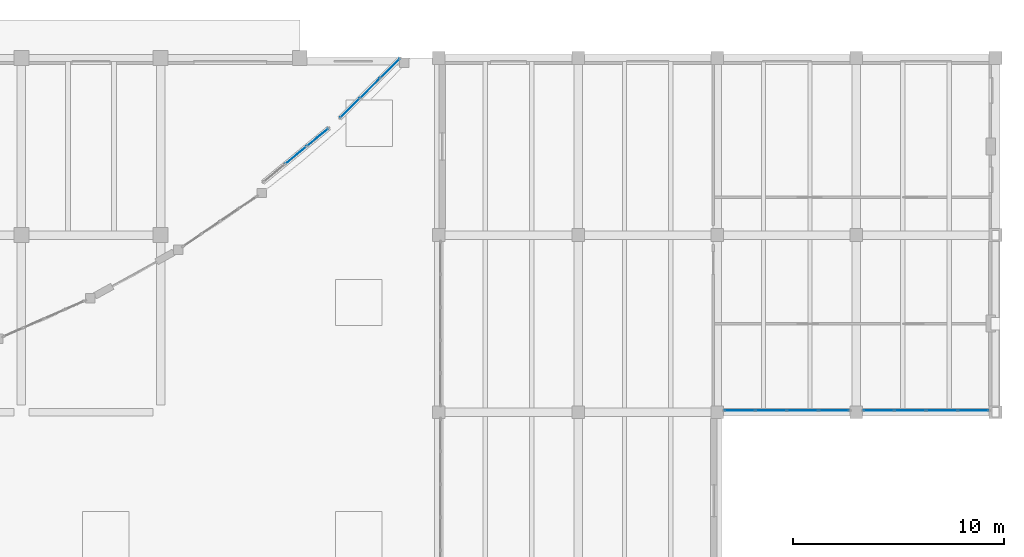
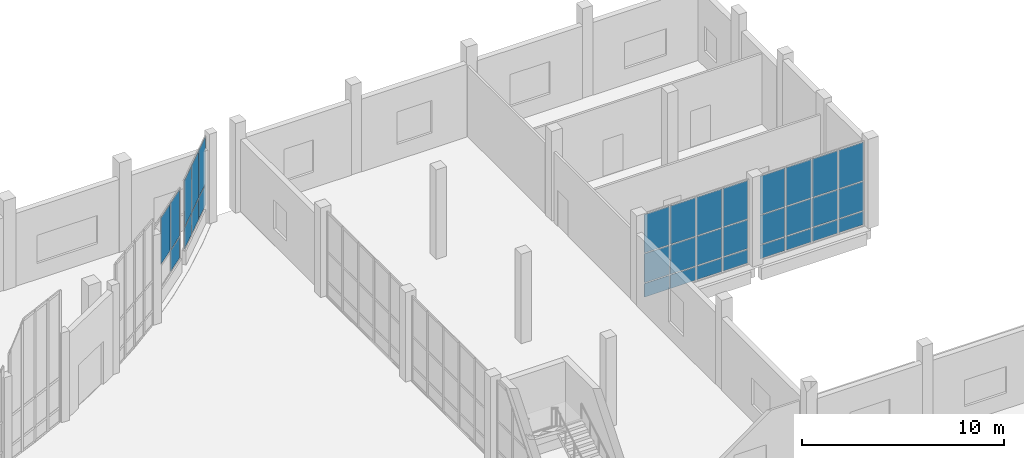
# One storey, part 37 of 64: 33 plates, 4 elements without a shape of their own.
"""IFC4 building model written with IfcOpenShell, lengths in metres."""

from ifc_helpers import new_model, si_unit, direction, frame, origin, origin_2d, place, context, subcontext, project, spatial, rectangle, extrude, material, layer, layer_set, type_object, element, aggregate, save


model = new_model("IFC4")

# Units and contexts
model_context = context("Model", 3, precision=1e-05, world=origin(), true_north=direction((0.0, 1.0)))
body_context = subcontext(model_context, "Body", "Model", "MODEL_VIEW")
ifc_project = project(units=[si_unit("LENGTHUNIT", "METRE"), si_unit("AREAUNIT", "SQUARE_METRE"), si_unit("VOLUMEUNIT", "CUBIC_METRE"), si_unit("PLANEANGLEUNIT", "RADIAN"), si_unit("MASSUNIT", "GRAM", prefix="KILO")], contexts=[model_context])

# Site, building, storey
site_placement = place(None, origin())
site = spatial("IfcSite", under=ifc_project, at=site_placement, CompositionType="ELEMENT")
building_placement = place(site_placement, origin())
building = spatial("IfcBuilding", under=site, at=building_placement, Name="Qaldarim Faculty of Natural and Applied Sciences", CompositionType="ELEMENT")
storey_placement = place(building_placement, origin())
storey = spatial("IfcBuildingStorey", under=building, at=storey_placement, Name="L00", CompositionType="ELEMENT", Elevation=0.0)

# Curtain wall, plates
ifc_material_1 = material(Name="Anodised aluminium AW-6063", Category="aluminium")
curtain_wall_type_1 = type_object("IfcCurtainWallType", Name="CurtainWallSystem-M1600", PredefinedType="USERDEFINED", material=ifc_material_1)
curtain_wall_1_placement = place(storey_placement, origin())
curtain_wall_1 = element("IfcCurtainWall", 1, at=curtain_wall_1_placement, inside=storey, type_object=curtain_wall_type_1, Name="Curtain wall CW-L00-S-X26Y13", ObjectType="UNITISED FACADE", PredefinedType="USERDEFINED")
ifc_material_2 = material(Name="Insulated low-e double glazing", Category="glass")
ifc_layer = layer(ifc_material_2, 0.028076171875)
ifc_layer_set = layer_set([ifc_layer], Name="Insulated low-e double glazing")
plate_type = type_object("IfcPlateType", Name="VisionGlazingPanel-28", PredefinedType="CURTAIN_PANEL", material=ifc_layer_set)
plate_1_placement = place(storey_placement, frame((166.061279296875, 100.8798828125, 0.06005859375), z_axis=(0.0, 0.0, 1.0), x_axis=(1.0, 0.0, 0.0)))
plate_1 = element("IfcPlate", 2, at=plate_1_placement, type_object=plate_type, Name="Glazed panel 1-1 of CW-L00-S-X26Y13", PredefinedType="CURTAIN_PANEL", context=body_context, shape_type="SweptSolid", body=[
    extrude(rectangle(XDim=1.41259765625, YDim=0.028076171875, at=origin_2d()), origin(), (0.0, 0.0, 1.0), 0.81005859375),
])
plate_2_placement = place(storey_placement, frame((166.061279296875, 100.8798828125, 0.93017578125), z_axis=(0.0, 0.0, 1.0), x_axis=(1.0, 0.0, 0.0)))
plate_2 = element("IfcPlate", 3, at=plate_2_placement, type_object=plate_type, Name="Glazed panel 1-2 of CW-L00-S-X26Y13", PredefinedType="CURTAIN_PANEL", context=body_context, shape_type="SweptSolid", body=[
    extrude(rectangle(XDim=1.41259765625, YDim=0.028076171875, at=origin_2d()), origin(), (0.0, 0.0, 1.0), 1.739990234375),
])
plate_3_placement = place(storey_placement, frame((166.061279296875, 100.8798828125, 2.72998046875), z_axis=(0.0, 0.0, 1.0), x_axis=(1.0, 0.0, 0.0)))
plate_3 = element("IfcPlate", 4, at=plate_3_placement, type_object=plate_type, Name="Glazed panel 1-3 of CW-L00-S-X26Y13", PredefinedType="CURTAIN_PANEL", context=body_context, shape_type="SweptSolid", body=[
    extrude(rectangle(XDim=1.41259765625, YDim=0.028076171875, at=origin_2d()), origin(), (0.0, 0.0, 1.0), 2.31005859375),
])
plate_4_placement = place(storey_placement, frame((167.548583984375, 100.8798828125, 0.06005859375), z_axis=(0.0, 0.0, 1.0), x_axis=(1.0, 0.0, 0.0)))
plate_4 = element("IfcPlate", 5, at=plate_4_placement, type_object=plate_type, Name="Glazed panel 2-1 of CW-L00-S-X26Y13", PredefinedType="CURTAIN_PANEL", context=body_context, shape_type="SweptSolid", body=[
    extrude(rectangle(XDim=1.4423828125, YDim=0.028076171875, at=origin_2d()), origin(), (0.0, 0.0, 1.0), 0.81005859375),
])
plate_5_placement = place(storey_placement, frame((167.548583984375, 100.8798828125, 0.93017578125), z_axis=(0.0, 0.0, 1.0), x_axis=(1.0, 0.0, 0.0)))
plate_5 = element("IfcPlate", 6, at=plate_5_placement, type_object=plate_type, Name="Glazed panel 2-2 of CW-L00-S-X26Y13", PredefinedType="CURTAIN_PANEL", context=body_context, shape_type="SweptSolid", body=[
    extrude(rectangle(XDim=1.4423828125, YDim=0.028076171875, at=origin_2d()), origin(), (0.0, 0.0, 1.0), 1.739990234375),
])
plate_6_placement = place(storey_placement, frame((167.548583984375, 100.8798828125, 2.72998046875), z_axis=(0.0, 0.0, 1.0), x_axis=(1.0, 0.0, 0.0)))
plate_6 = element("IfcPlate", 7, at=plate_6_placement, type_object=plate_type, Name="Glazed panel 2-3 of CW-L00-S-X26Y13", PredefinedType="CURTAIN_PANEL", context=body_context, shape_type="SweptSolid", body=[
    extrude(rectangle(XDim=1.4423828125, YDim=0.028076171875, at=origin_2d()), origin(), (0.0, 0.0, 1.0), 2.31005859375),
])
plate_7_placement = place(storey_placement, frame((169.05126953125, 100.8798828125, 0.06005859375), z_axis=(0.0, 0.0, 1.0), x_axis=(1.0, 0.0, 0.0)))
plate_7 = element("IfcPlate", 8, at=plate_7_placement, type_object=plate_type, Name="Glazed panel 3-1 of CW-L00-S-X26Y13", PredefinedType="CURTAIN_PANEL", context=body_context, shape_type="SweptSolid", body=[
    extrude(rectangle(XDim=1.4423828125, YDim=0.028076171875, at=origin_2d()), origin(), (0.0, 0.0, 1.0), 0.81005859375),
])
plate_8_placement = place(storey_placement, frame((169.05126953125, 100.8798828125, 0.93017578125), z_axis=(0.0, 0.0, 1.0), x_axis=(1.0, 0.0, 0.0)))
plate_8 = element("IfcPlate", 9, at=plate_8_placement, type_object=plate_type, Name="Glazed panel 3-2 of CW-L00-S-X26Y13", PredefinedType="CURTAIN_PANEL", context=body_context, shape_type="SweptSolid", body=[
    extrude(rectangle(XDim=1.4423828125, YDim=0.028076171875, at=origin_2d()), origin(), (0.0, 0.0, 1.0), 1.739990234375),
])
plate_9_placement = place(storey_placement, frame((169.05126953125, 100.8798828125, 2.72998046875), z_axis=(0.0, 0.0, 1.0), x_axis=(1.0, 0.0, 0.0)))
plate_9 = element("IfcPlate", 10, at=plate_9_placement, type_object=plate_type, Name="Glazed panel 3-3 of CW-L00-S-X26Y13", PredefinedType="CURTAIN_PANEL", context=body_context, shape_type="SweptSolid", body=[
    extrude(rectangle(XDim=1.4423828125, YDim=0.028076171875, at=origin_2d()), origin(), (0.0, 0.0, 1.0), 2.31005859375),
])
plate_10_placement = place(storey_placement, frame((170.538818359375, 100.8798828125, 0.06005859375), z_axis=(0.0, 0.0, 1.0), x_axis=(1.0, 0.0, 0.0)))
plate_10 = element("IfcPlate", 11, at=plate_10_placement, type_object=plate_type, Name="Glazed panel 4-1 of CW-L00-S-X26Y13", PredefinedType="CURTAIN_PANEL", context=body_context, shape_type="SweptSolid", body=[
    extrude(rectangle(XDim=1.41259765625, YDim=0.028076171875, at=origin_2d()), origin(), (0.0, 0.0, 1.0), 0.81005859375),
])
plate_11_placement = place(storey_placement, frame((170.538818359375, 100.8798828125, 0.93017578125), z_axis=(0.0, 0.0, 1.0), x_axis=(1.0, 0.0, 0.0)))
plate_11 = element("IfcPlate", 12, at=plate_11_placement, type_object=plate_type, Name="Glazed panel 4-2 of CW-L00-S-X26Y13", PredefinedType="CURTAIN_PANEL", context=body_context, shape_type="SweptSolid", body=[
    extrude(rectangle(XDim=1.41259765625, YDim=0.028076171875, at=origin_2d()), origin(), (0.0, 0.0, 1.0), 1.739990234375),
])
plate_12_placement = place(storey_placement, frame((170.538818359375, 100.8798828125, 2.72998046875), z_axis=(0.0, 0.0, 1.0), x_axis=(1.0, 0.0, 0.0)))
plate_12 = element("IfcPlate", 13, at=plate_12_placement, type_object=plate_type, Name="Glazed panel 4-3 of CW-L00-S-X26Y13", PredefinedType="CURTAIN_PANEL", context=body_context, shape_type="SweptSolid", body=[
    extrude(rectangle(XDim=1.41259765625, YDim=0.028076171875, at=origin_2d()), origin(), (0.0, 0.0, 1.0), 2.31005859375),
])
aggregate(curtain_wall_1, [plate_1, plate_2, plate_3, plate_4, plate_5, plate_6, plate_7, plate_8, plate_9, plate_10, plate_11, plate_12])

curtain_wall_2_placement = place(storey_placement, origin())
curtain_wall_2 = element("IfcCurtainWall", 14, at=curtain_wall_2_placement, inside=storey, type_object=curtain_wall_type_1, Name="Curtain wall CW-L00-S-X27Y13", ObjectType="UNITISED FACADE", PredefinedType="USERDEFINED")
plate_13_placement = place(storey_placement, frame((172.6611328125, 100.8798828125, 0.06005859375), z_axis=(0.0, 0.0, 1.0), x_axis=(1.0, 0.0, 0.0)))
plate_13 = element("IfcPlate", 15, at=plate_13_placement, type_object=plate_type, Name="Glazed panel 1-1 of CW-L00-S-X27Y13", PredefinedType="CURTAIN_PANEL", context=body_context, shape_type="SweptSolid", body=[
    extrude(rectangle(XDim=1.41259765625, YDim=0.028076171875, at=origin_2d()), origin(), (0.0, 0.0, 1.0), 0.81005859375),
])
plate_14_placement = place(storey_placement, frame((172.6611328125, 100.8798828125, 0.93017578125), z_axis=(0.0, 0.0, 1.0), x_axis=(1.0, 0.0, 0.0)))
plate_14 = element("IfcPlate", 16, at=plate_14_placement, type_object=plate_type, Name="Glazed panel 1-2 of CW-L00-S-X27Y13", PredefinedType="CURTAIN_PANEL", context=body_context, shape_type="SweptSolid", body=[
    extrude(rectangle(XDim=1.41259765625, YDim=0.028076171875, at=origin_2d()), origin(), (0.0, 0.0, 1.0), 1.739990234375),
])
plate_15_placement = place(storey_placement, frame((172.6611328125, 100.8798828125, 2.72998046875), z_axis=(0.0, 0.0, 1.0), x_axis=(1.0, 0.0, 0.0)))
plate_15 = element("IfcPlate", 17, at=plate_15_placement, type_object=plate_type, Name="Glazed panel 1-3 of CW-L00-S-X27Y13", PredefinedType="CURTAIN_PANEL", context=body_context, shape_type="SweptSolid", body=[
    extrude(rectangle(XDim=1.41259765625, YDim=0.028076171875, at=origin_2d()), origin(), (0.0, 0.0, 1.0), 2.31005859375),
])
plate_16_placement = place(storey_placement, frame((174.148681640625, 100.8798828125, 0.06005859375), z_axis=(0.0, 0.0, 1.0), x_axis=(1.0, 0.0, 0.0)))
plate_16 = element("IfcPlate", 18, at=plate_16_placement, type_object=plate_type, Name="Glazed panel 2-1 of CW-L00-S-X27Y13", PredefinedType="CURTAIN_PANEL", context=body_context, shape_type="SweptSolid", body=[
    extrude(rectangle(XDim=1.4423828125, YDim=0.028076171875, at=origin_2d()), origin(), (0.0, 0.0, 1.0), 0.81005859375),
])
plate_17_placement = place(storey_placement, frame((174.148681640625, 100.8798828125, 0.93017578125), z_axis=(0.0, 0.0, 1.0), x_axis=(1.0, 0.0, 0.0)))
plate_17 = element("IfcPlate", 19, at=plate_17_placement, type_object=plate_type, Name="Glazed panel 2-2 of CW-L00-S-X27Y13", PredefinedType="CURTAIN_PANEL", context=body_context, shape_type="SweptSolid", body=[
    extrude(rectangle(XDim=1.4423828125, YDim=0.028076171875, at=origin_2d()), origin(), (0.0, 0.0, 1.0), 1.739990234375),
])
plate_18_placement = place(storey_placement, frame((174.148681640625, 100.8798828125, 2.72998046875), z_axis=(0.0, 0.0, 1.0), x_axis=(1.0, 0.0, 0.0)))
plate_18 = element("IfcPlate", 20, at=plate_18_placement, type_object=plate_type, Name="Glazed panel 2-3 of CW-L00-S-X27Y13", PredefinedType="CURTAIN_PANEL", context=body_context, shape_type="SweptSolid", body=[
    extrude(rectangle(XDim=1.4423828125, YDim=0.028076171875, at=origin_2d()), origin(), (0.0, 0.0, 1.0), 2.31005859375),
])
plate_19_placement = place(storey_placement, frame((175.6513671875, 100.8798828125, 0.06005859375), z_axis=(0.0, 0.0, 1.0), x_axis=(1.0, 0.0, 0.0)))
plate_19 = element("IfcPlate", 21, at=plate_19_placement, type_object=plate_type, Name="Glazed panel 3-1 of CW-L00-S-X27Y13", PredefinedType="CURTAIN_PANEL", context=body_context, shape_type="SweptSolid", body=[
    extrude(rectangle(XDim=1.4423828125, YDim=0.028076171875, at=origin_2d()), origin(), (0.0, 0.0, 1.0), 0.81005859375),
])
plate_20_placement = place(storey_placement, frame((175.6513671875, 100.8798828125, 0.93017578125), z_axis=(0.0, 0.0, 1.0), x_axis=(1.0, 0.0, 0.0)))
plate_20 = element("IfcPlate", 22, at=plate_20_placement, type_object=plate_type, Name="Glazed panel 3-2 of CW-L00-S-X27Y13", PredefinedType="CURTAIN_PANEL", context=body_context, shape_type="SweptSolid", body=[
    extrude(rectangle(XDim=1.4423828125, YDim=0.028076171875, at=origin_2d()), origin(), (0.0, 0.0, 1.0), 1.739990234375),
])
plate_21_placement = place(storey_placement, frame((175.6513671875, 100.8798828125, 2.72998046875), z_axis=(0.0, 0.0, 1.0), x_axis=(1.0, 0.0, 0.0)))
plate_21 = element("IfcPlate", 23, at=plate_21_placement, type_object=plate_type, Name="Glazed panel 3-3 of CW-L00-S-X27Y13", PredefinedType="CURTAIN_PANEL", context=body_context, shape_type="SweptSolid", body=[
    extrude(rectangle(XDim=1.4423828125, YDim=0.028076171875, at=origin_2d()), origin(), (0.0, 0.0, 1.0), 2.31005859375),
])
plate_22_placement = place(storey_placement, frame((177.138916015625, 100.8798828125, 0.06005859375), z_axis=(0.0, 0.0, 1.0), x_axis=(1.0, 0.0, 0.0)))
plate_22 = element("IfcPlate", 24, at=plate_22_placement, type_object=plate_type, Name="Glazed panel 4-1 of CW-L00-S-X27Y13", PredefinedType="CURTAIN_PANEL", context=body_context, shape_type="SweptSolid", body=[
    extrude(rectangle(XDim=1.41259765625, YDim=0.028076171875, at=origin_2d()), origin(), (0.0, 0.0, 1.0), 0.81005859375),
])
plate_23_placement = place(storey_placement, frame((177.138916015625, 100.8798828125, 0.93017578125), z_axis=(0.0, 0.0, 1.0), x_axis=(1.0, 0.0, 0.0)))
plate_23 = element("IfcPlate", 25, at=plate_23_placement, type_object=plate_type, Name="Glazed panel 4-2 of CW-L00-S-X27Y13", PredefinedType="CURTAIN_PANEL", context=body_context, shape_type="SweptSolid", body=[
    extrude(rectangle(XDim=1.41259765625, YDim=0.028076171875, at=origin_2d()), origin(), (0.0, 0.0, 1.0), 1.739990234375),
])
plate_24_placement = place(storey_placement, frame((177.138916015625, 100.8798828125, 2.72998046875), z_axis=(0.0, 0.0, 1.0), x_axis=(1.0, 0.0, 0.0)))
plate_24 = element("IfcPlate", 26, at=plate_24_placement, type_object=plate_type, Name="Glazed panel 4-3 of CW-L00-S-X27Y13", PredefinedType="CURTAIN_PANEL", context=body_context, shape_type="SweptSolid", body=[
    extrude(rectangle(XDim=1.41259765625, YDim=0.028076171875, at=origin_2d()), origin(), (0.0, 0.0, 1.0), 2.31005859375),
])
aggregate(curtain_wall_2, [plate_13, plate_14, plate_15, plate_16, plate_17, plate_18, plate_19, plate_20, plate_21, plate_22, plate_23, plate_24])

curtain_wall_type_2 = type_object("IfcCurtainWallType", Name="CurtainWallSystem-M1400", PredefinedType="USERDEFINED", material=ifc_material_1)
curtain_wall_3_placement = place(storey_placement, origin())
curtain_wall_3 = element("IfcCurtainWall", 27, at=curtain_wall_3_placement, inside=storey, type_object=curtain_wall_type_2, Name="Curtain wall CW-V4ARC-L00-14", ObjectType="STICK CURTAIN WALL", PredefinedType="USERDEFINED")
plate_25_placement = place(storey_placement, frame((145.017578125, 112.987548828125, 2.22998046875), z_axis=(0.0, 0.0, 1.0), x_axis=(0.771746687418, 0.635930067271, 0.0)))
plate_25 = element("IfcPlate", 28, at=plate_25_placement, type_object=plate_type, Name="Glazed panel 2-2 of CW-V4ARC-L00-14", PredefinedType="CURTAIN_PANEL", context=body_context, shape_type="SweptSolid", body=[
    extrude(rectangle(XDim=1.289794921875, YDim=0.028076171875, at=origin_2d()), origin(), (0.0, 0.0, 1.0), 2.81005859375),
])
plate_26_placement = place(storey_placement, frame((146.047607421875, 113.836181640625, 0.91015625), z_axis=(0.0, 0.0, 1.0), x_axis=(0.771746687418, 0.635930067271, 0.0)))
plate_26 = element("IfcPlate", 29, at=plate_26_placement, type_object=plate_type, Name="Glazed panel 3-1 of CW-V4ARC-L00-14", PredefinedType="CURTAIN_PANEL", context=body_context, shape_type="SweptSolid", body=[
    extrude(rectangle(XDim=1.259765625, YDim=0.028076171875, at=origin_2d()), origin(), (0.0, 0.0, 1.0), 1.260009765625),
])
plate_27_placement = place(storey_placement, frame((146.047607421875, 113.836181640625, 2.22998046875), z_axis=(0.0, 0.0, 1.0), x_axis=(0.771746687418, 0.635930067271, 0.0)))
plate_27 = element("IfcPlate", 30, at=plate_27_placement, type_object=plate_type, Name="Glazed panel 3-2 of CW-V4ARC-L00-14", PredefinedType="CURTAIN_PANEL", context=body_context, shape_type="SweptSolid", body=[
    extrude(rectangle(XDim=1.259765625, YDim=0.028076171875, at=origin_2d()), origin(), (0.0, 0.0, 1.0), 2.81005859375),
])
aggregate(curtain_wall_3, [plate_25, plate_26, plate_27])

curtain_wall_4_placement = place(storey_placement, origin())
curtain_wall_4 = element("IfcCurtainWall", 31, at=curtain_wall_4_placement, inside=storey, type_object=curtain_wall_type_2, Name="Curtain wall CW-V4ARC-L00-16", ObjectType="STICK CURTAIN WALL", PredefinedType="USERDEFINED")
plate_28_placement = place(storey_placement, frame((147.584716796875, 115.2255859375, 0.91015625), z_axis=(0.0, 0.0, 1.0), x_axis=(0.710185375623, 0.704014724456, 0.0)))
plate_28 = element("IfcPlate", 32, at=plate_28_placement, type_object=plate_type, Name="Glazed panel 1-1 of CW-V4ARC-L00-16", PredefinedType="CURTAIN_PANEL", context=body_context, shape_type="SweptSolid", body=[
    extrude(rectangle(XDim=1.259521484375, YDim=0.028076171875, at=origin_2d()), origin(), (0.0, 0.0, 1.0), 1.260009765625),
])
plate_29_placement = place(storey_placement, frame((147.584716796875, 115.2255859375, 2.22998046875), z_axis=(0.0, 0.0, 1.0), x_axis=(0.710185375623, 0.704014724456, 0.0)))
plate_29 = element("IfcPlate", 33, at=plate_29_placement, type_object=plate_type, Name="Glazed panel 1-2 of CW-V4ARC-L00-16", PredefinedType="CURTAIN_PANEL", context=body_context, shape_type="SweptSolid", body=[
    extrude(rectangle(XDim=1.259521484375, YDim=0.028076171875, at=origin_2d()), origin(), (0.0, 0.0, 1.0), 2.81005859375),
])
plate_30_placement = place(storey_placement, frame((148.532470703125, 116.1650390625, 0.91015625), z_axis=(0.0, 0.0, 1.0), x_axis=(0.710185375623, 0.704014724456, 0.0)))
plate_30 = element("IfcPlate", 34, at=plate_30_placement, type_object=plate_type, Name="Glazed panel 2-1 of CW-V4ARC-L00-16", PredefinedType="CURTAIN_PANEL", context=body_context, shape_type="SweptSolid", body=[
    extrude(rectangle(XDim=1.289306640625, YDim=0.028076171875, at=origin_2d()), origin(), (0.0, 0.0, 1.0), 1.260009765625),
])
plate_31_placement = place(storey_placement, frame((148.532470703125, 116.1650390625, 2.22998046875), z_axis=(0.0, 0.0, 1.0), x_axis=(0.710185375623, 0.704014724456, 0.0)))
plate_31 = element("IfcPlate", 35, at=plate_31_placement, type_object=plate_type, Name="Glazed panel 2-2 of CW-V4ARC-L00-16", PredefinedType="CURTAIN_PANEL", context=body_context, shape_type="SweptSolid", body=[
    extrude(rectangle(XDim=1.289306640625, YDim=0.028076171875, at=origin_2d()), origin(), (0.0, 0.0, 1.0), 2.81005859375),
])
plate_32_placement = place(storey_placement, frame((149.480224609375, 117.1044921875, 0.91015625), z_axis=(0.0, 0.0, 1.0), x_axis=(0.710185375623, 0.704014724456, 0.0)))
plate_32 = element("IfcPlate", 36, at=plate_32_placement, type_object=plate_type, Name="Glazed panel 3-1 of CW-V4ARC-L00-16", PredefinedType="CURTAIN_PANEL", context=body_context, shape_type="SweptSolid", body=[
    extrude(rectangle(XDim=1.259521484375, YDim=0.028076171875, at=origin_2d()), origin(), (0.0, 0.0, 1.0), 1.260009765625),
])
plate_33_placement = place(storey_placement, frame((149.480224609375, 117.1044921875, 2.22998046875), z_axis=(0.0, 0.0, 1.0), x_axis=(0.710185375623, 0.704014724456, 0.0)))
plate_33 = element("IfcPlate", 37, at=plate_33_placement, type_object=plate_type, Name="Glazed panel 3-2 of CW-V4ARC-L00-16", PredefinedType="CURTAIN_PANEL", context=body_context, shape_type="SweptSolid", body=[
    extrude(rectangle(XDim=1.259521484375, YDim=0.028076171875, at=origin_2d()), origin(), (0.0, 0.0, 1.0), 2.81005859375),
])
aggregate(curtain_wall_4, [plate_28, plate_29, plate_30, plate_31, plate_32, plate_33])

save(model, "model.ifc")
